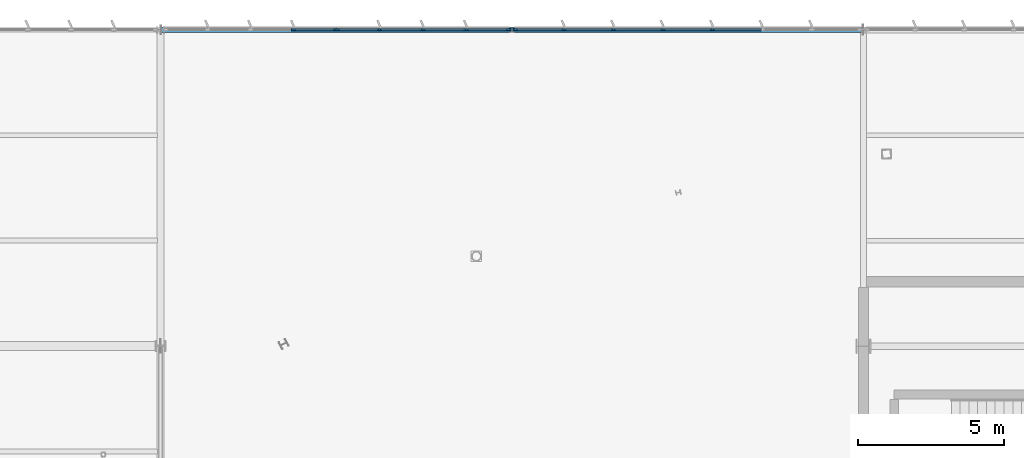
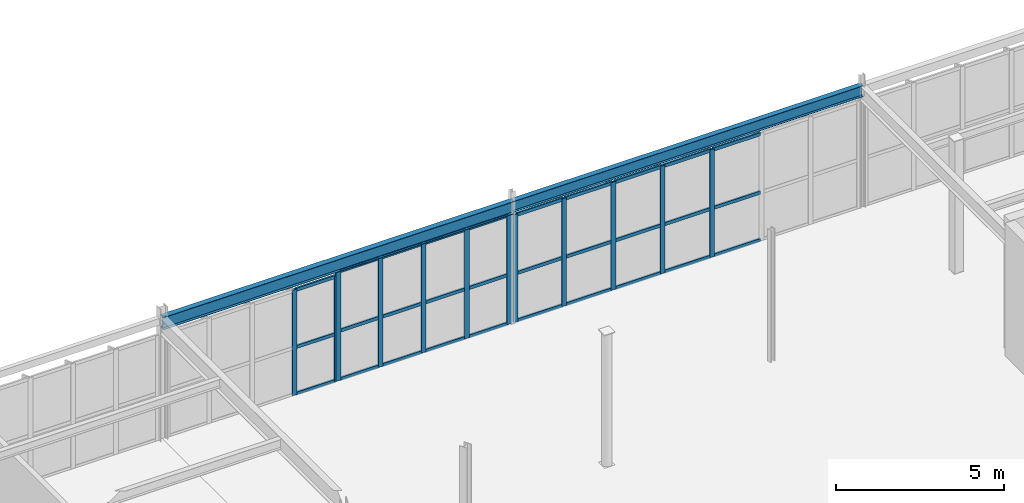
# One storey, part 101 of 226: 42 members, 2 beams, 3 elements without a shape of their own.
"""IFC4 building model written with IfcOpenShell, lengths in metres."""

from ifc_helpers import new_model, si_unit, direction, frame, origin, origin_2d, place, context, subcontext, project, spatial, rectangle, i_section, extrude, material, layer, layer_set, material_profile, profile_set, type_object, element, aggregate, save


model = new_model("IFC4")

# Units and contexts
model_context = context("Model", 3, precision=1e-05, world=origin(), true_north=direction((0.0, 1.0)))
body_context = subcontext(model_context, "Body", "Model", "MODEL_VIEW")
ifc_project = project(units=[si_unit("LENGTHUNIT", "METRE"), si_unit("AREAUNIT", "SQUARE_METRE"), si_unit("VOLUMEUNIT", "CUBIC_METRE"), si_unit("PLANEANGLEUNIT", "RADIAN"), si_unit("MASSUNIT", "GRAM", prefix="KILO")], contexts=[model_context])

# Site, building, storey
site_placement = place(None, origin())
site = spatial("IfcSite", under=ifc_project, at=site_placement, CompositionType="ELEMENT")
building_placement = place(site_placement, origin())
building = spatial("IfcBuilding", under=site, at=building_placement, Name="Tarnwether General Hospital", CompositionType="ELEMENT")
storey_placement = place(building_placement, frame((0.0, 0.0, 4.800048828125)))
storey = spatial("IfcBuildingStorey", under=building, at=storey_placement, Name="L01", CompositionType="ELEMENT", Elevation=4.800048828125)

# Beams
ifc_material_1 = material(Name="Steel Grade 350 (350 MPa)", Category="steel")
ifc_material_profile_1 = material_profile(ifc_material_1, i_section(OverallWidth=0.18994140625, OverallDepth=0.4541015625, WebThickness=0.008544921875, FlangeThickness=0.0126953125, at=origin_2d()), Name="460UB67.1")
ifc_profile_set_1 = profile_set([ifc_material_profile_1], Name="Steel Grade 350 (350 MPa)")
beam_type_1 = type_object("IfcBeamType", Name="BM-SP1", PredefinedType="SPANDREL", material=ifc_profile_set_1)
beam_1_placement = place(storey_placement, frame((60.0, 126.0, 4.218017578125), z_axis=(1.0, 0.0, 0.0), x_axis=(0.0, 1.0, 0.0)))
element("IfcBeam", 1, at=beam_1_placement, inside=storey, type_object=beam_type_1, Name="Primary Girder BMG-L01-6000_12600-7200_12600-1134", PredefinedType="SPANDREL", context=body_context, shape_type="SweptSolid", body=[
    extrude(i_section(OverallWidth=0.18994140625, OverallDepth=0.4541015625, WebThickness=0.008544921875, FlangeThickness=0.0126953125, at=origin_2d()), origin(), (0.0, 0.0, 1.0), 12.0),
])
ifc_material_2 = material(Name="Steel Grade 350 (350 MPa)", Category="steel")
ifc_material_profile_2 = material_profile(ifc_material_2, i_section(OverallWidth=0.177978515625, OverallDepth=0.403076171875, WebThickness=0.007568359375, FlangeThickness=0.010986328125, at=origin_2d()), Name="410UB53.7")
ifc_profile_set_2 = profile_set([ifc_material_profile_2], Name="Steel Grade 350 (350 MPa)")
beam_type_2 = type_object("IfcBeamType", Name="BM-SP2", PredefinedType="SPANDREL", material=ifc_profile_set_2)
beam_2_placement = place(storey_placement, frame((72.0, 126.0, 4.243408203125), z_axis=(1.0, 0.0, 0.0), x_axis=(0.0, 1.0, 0.0)))
element("IfcBeam", 2, at=beam_2_placement, inside=storey, type_object=beam_type_2, Name="Primary Girder BMG-L01-7200_12600-8400_12600-1142", PredefinedType="SPANDREL", context=body_context, shape_type="SweptSolid", body=[
    extrude(i_section(OverallWidth=0.177978515625, OverallDepth=0.403076171875, WebThickness=0.007568359375, FlangeThickness=0.010986328125, at=origin_2d()), origin(), (0.0, 0.0, 1.0), 12.0),
])

# Curtain wall, members
ifc_material_3 = material(Name="Anodised aluminium", Category="aluminium")
ifc_layer_1 = layer(ifc_material_3, 0.159912109375)
ifc_layer_set_1 = layer_set([ifc_layer_1], Name="Anodised aluminium")
curtain_wall_type_1 = type_object("IfcCurtainWallType", Name="CW-12", PredefinedType="NOTDEFINED", material=ifc_layer_set_1)
curtain_wall_1_placement = place(storey_placement, origin())
curtain_wall_1 = element("IfcCurtainWall", 3, at=curtain_wall_1_placement, inside=storey, type_object=curtain_wall_type_1, Name="Curtain Wall CWG-L01-601_1260-0322", PredefinedType="NOTDEFINED")
ifc_material_4 = material(Name="Anodised aluminium", Category="aluminium")
ifc_material_profile_3 = material_profile(ifc_material_4, rectangle(XDim=0.06005859375, YDim=0.159912109375, at=origin_2d()), Name="ALU-MUL-60x160")
ifc_profile_set_3 = profile_set([ifc_material_profile_3], Name="Anodised aluminium")
member_type_1 = type_object("IfcMemberType", Name="CW-ML1", PredefinedType="MULLION", material=ifc_profile_set_3)
member_1_placement = place(storey_placement, frame((64.53369140625, 126.0, 0.0), z_axis=(0.0, 0.0, 1.0), x_axis=(0.0, 1.0, 0.0)))
member_1 = element("IfcMember", 4, at=member_1_placement, type_object=member_type_1, Name="CW-12 mullion 4", PredefinedType="MULLION", context=body_context, shape_type="SweptSolid", body=[
    extrude(rectangle(XDim=0.06005859375, YDim=0.159912109375, at=origin_2d()), origin(), (0.0, 0.0, 1.0), 3.827880859375),
])
member_2_placement = place(storey_placement, frame((65.969970703125, 126.0, 0.0), z_axis=(0.0, 0.0, 1.0), x_axis=(0.0, 1.0, 0.0)))
member_2 = element("IfcMember", 5, at=member_2_placement, type_object=member_type_1, Name="CW-12 mullion 5", PredefinedType="MULLION", context=body_context, shape_type="SweptSolid", body=[
    extrude(rectangle(XDim=0.06005859375, YDim=0.159912109375, at=origin_2d()), origin(), (0.0, 0.0, 1.0), 3.827880859375),
])

ifc_material_5 = material(Name="Anodised aluminium", Category="aluminium")
ifc_layer_2 = layer(ifc_material_5, 0.159912109375)
ifc_layer_set_2 = layer_set([ifc_layer_2], Name="Anodised aluminium")
curtain_wall_type_2 = type_object("IfcCurtainWallType", Name="CW-14", PredefinedType="NOTDEFINED", material=ifc_layer_set_2)
curtain_wall_2_placement = place(storey_placement, origin())
curtain_wall_2 = element("IfcCurtainWall", 6, at=curtain_wall_2_placement, inside=storey, type_object=curtain_wall_type_2, Name="Curtain Wall CWG-L01-660_1260-0323", PredefinedType="NOTDEFINED")
member_3_placement = place(storey_placement, frame((66.030029296875, 126.0, 0.0), z_axis=(0.0, 0.0, 1.0), x_axis=(0.0, 1.0, 0.0)))
member_3 = element("IfcMember", 7, at=member_3_placement, type_object=member_type_1, Name="CW-14 mullion 1", PredefinedType="MULLION", context=body_context, shape_type="SweptSolid", body=[
    extrude(rectangle(XDim=0.06005859375, YDim=0.159912109375, at=origin_2d()), origin(), (0.0, 0.0, 1.0), 3.975830078125),
])
member_4_placement = place(storey_placement, frame((67.47900390625, 126.0, 0.0), z_axis=(0.0, 0.0, 1.0), x_axis=(0.0, 1.0, 0.0)))
member_4 = element("IfcMember", 8, at=member_4_placement, type_object=member_type_1, Name="CW-14 mullion 2", PredefinedType="MULLION", context=body_context, shape_type="SweptSolid", body=[
    extrude(rectangle(XDim=0.06005859375, YDim=0.159912109375, at=origin_2d()), origin(), (0.0, 0.0, 1.0), 3.975830078125),
])
member_5_placement = place(storey_placement, frame((68.9580078125, 126.0, 0.0), z_axis=(0.0, 0.0, 1.0), x_axis=(0.0, 1.0, 0.0)))
member_5 = element("IfcMember", 9, at=member_5_placement, type_object=member_type_1, Name="CW-14 mullion 3", PredefinedType="MULLION", context=body_context, shape_type="SweptSolid", body=[
    extrude(rectangle(XDim=0.06005859375, YDim=0.159912109375, at=origin_2d()), origin(), (0.0, 0.0, 1.0), 3.975830078125),
])
member_6_placement = place(storey_placement, frame((70.43701171875, 126.0, 0.0), z_axis=(0.0, 0.0, 1.0), x_axis=(0.0, 1.0, 0.0)))
member_6 = element("IfcMember", 10, at=member_6_placement, type_object=member_type_1, Name="CW-14 mullion 4", PredefinedType="MULLION", context=body_context, shape_type="SweptSolid", body=[
    extrude(rectangle(XDim=0.06005859375, YDim=0.159912109375, at=origin_2d()), origin(), (0.0, 0.0, 1.0), 3.975830078125),
])
member_7_placement = place(storey_placement, frame((71.885986328125, 126.0, 0.0), z_axis=(0.0, 0.0, 1.0), x_axis=(0.0, 1.0, 0.0)))
member_7 = element("IfcMember", 11, at=member_7_placement, type_object=member_type_1, Name="CW-14 mullion 5", PredefinedType="MULLION", context=body_context, shape_type="SweptSolid", body=[
    extrude(rectangle(XDim=0.06005859375, YDim=0.159912109375, at=origin_2d()), origin(), (0.0, 0.0, 1.0), 3.975830078125),
])

curtain_wall_3_placement = place(storey_placement, origin())
curtain_wall_3 = element("IfcCurtainWall", 12, at=curtain_wall_3_placement, inside=storey, type_object=curtain_wall_type_2, Name="Curtain Wall CWG-L01-721_1260-0324", PredefinedType="NOTDEFINED")
member_8_placement = place(storey_placement, frame((72.114013671875, 126.0, 0.0), z_axis=(0.0, 0.0, 1.0), x_axis=(0.0, 1.0, 0.0)))
member_8 = element("IfcMember", 13, at=member_8_placement, type_object=member_type_1, Name="CW-14 mullion 1", PredefinedType="MULLION", context=body_context, shape_type="SweptSolid", body=[
    extrude(rectangle(XDim=0.06005859375, YDim=0.159912109375, at=origin_2d()), origin(), (0.0, 0.0, 1.0), 3.90185546875),
])
member_9_placement = place(storey_placement, frame((73.774169921875, 126.0, 0.0), z_axis=(0.0, 0.0, 1.0), x_axis=(0.0, 1.0, 0.0)))
member_9 = element("IfcMember", 14, at=member_9_placement, type_object=member_type_1, Name="CW-14 mullion 2", PredefinedType="MULLION", context=body_context, shape_type="SweptSolid", body=[
    extrude(rectangle(XDim=0.06005859375, YDim=0.159912109375, at=origin_2d()), origin(), (0.0, 0.0, 1.0), 3.90185546875),
])
member_10_placement = place(storey_placement, frame((75.464599609375, 126.0, 0.0), z_axis=(0.0, 0.0, 1.0), x_axis=(0.0, 1.0, 0.0)))
member_10 = element("IfcMember", 15, at=member_10_placement, type_object=member_type_1, Name="CW-14 mullion 3", PredefinedType="MULLION", context=body_context, shape_type="SweptSolid", body=[
    extrude(rectangle(XDim=0.06005859375, YDim=0.159912109375, at=origin_2d()), origin(), (0.0, 0.0, 1.0), 3.90185546875),
])
member_11_placement = place(storey_placement, frame((77.15478515625, 126.0, 0.0), z_axis=(0.0, 0.0, 1.0), x_axis=(0.0, 1.0, 0.0)))
member_11 = element("IfcMember", 16, at=member_11_placement, type_object=member_type_1, Name="CW-14 mullion 4", PredefinedType="MULLION", context=body_context, shape_type="SweptSolid", body=[
    extrude(rectangle(XDim=0.06005859375, YDim=0.159912109375, at=origin_2d()), origin(), (0.0, 0.0, 1.0), 3.90185546875),
])
member_12_placement = place(storey_placement, frame((78.84521484375, 126.0, 0.0), z_axis=(0.0, 0.0, 1.0), x_axis=(0.0, 1.0, 0.0)))
member_12 = element("IfcMember", 17, at=member_12_placement, type_object=member_type_1, Name="CW-14 mullion 5", PredefinedType="MULLION", context=body_context, shape_type="SweptSolid", body=[
    extrude(rectangle(XDim=0.06005859375, YDim=0.159912109375, at=origin_2d()), origin(), (0.0, 0.0, 1.0), 3.90185546875),
])

# Member
ifc_material_6 = material(Name="Anodised aluminium", Category="aluminium")
ifc_material_profile_4 = material_profile(ifc_material_6, rectangle(XDim=0.06005859375, YDim=0.1201171875, at=origin_2d()), Name="ALU-TRN-60x120")
ifc_profile_set_4 = profile_set([ifc_material_profile_4], Name="Anodised aluminium")
member_type_2 = type_object("IfcMemberType", Name="CW-TR1", PredefinedType="USERDEFINED", material=ifc_profile_set_4)
member_13_placement = place(storey_placement, frame((64.563720703125, 126.0, 0.030029296875), z_axis=(1.0, 0.0, 0.0), x_axis=(0.0, 1.0, 0.0)))
member_13 = element("IfcMember", 18, at=member_13_placement, type_object=member_type_2, Name="CW-12 transom 4.1", ObjectType="TRANSOM", PredefinedType="USERDEFINED", context=body_context, shape_type="SweptSolid", body=[
    extrude(rectangle(XDim=0.06005859375, YDim=0.1201171875, at=origin_2d()), origin(), (0.0, 0.0, 1.0), 1.376220703125),
])

member_14_placement = place(storey_placement, frame((64.563720703125, 126.0, 1.72265625), z_axis=(1.0, 0.0, 0.0), x_axis=(0.0, 1.0, 0.0)))
member_14 = element("IfcMember", 19, at=member_14_placement, type_object=member_type_2, Name="CW-12 transom 4.2", ObjectType="TRANSOM", PredefinedType="USERDEFINED", context=body_context, shape_type="SweptSolid", body=[
    extrude(rectangle(XDim=0.06005859375, YDim=0.1201171875, at=origin_2d()), origin(), (0.0, 0.0, 1.0), 1.376220703125),
])

member_15_placement = place(storey_placement, frame((64.563720703125, 126.0, 3.7978515625), z_axis=(1.0, 0.0, 0.0), x_axis=(0.0, 1.0, 0.0)))
member_15 = element("IfcMember", 20, at=member_15_placement, type_object=member_type_2, Name="CW-12 transom 4.3", ObjectType="TRANSOM", PredefinedType="USERDEFINED", context=body_context, shape_type="SweptSolid", body=[
    extrude(rectangle(XDim=0.06005859375, YDim=0.1201171875, at=origin_2d()), origin(), (0.0, 0.0, 1.0), 1.376220703125),
])

aggregate(curtain_wall_1, [member_1, member_2, member_13, member_14, member_15])

member_16_placement = place(storey_placement, frame((66.06005859375, 126.0, 0.030029296875), z_axis=(1.0, 0.0, 0.0), x_axis=(0.0, 1.0, 0.0)))
member_16 = element("IfcMember", 21, at=member_16_placement, type_object=member_type_2, Name="CW-14 transom 1.1", ObjectType="TRANSOM", PredefinedType="USERDEFINED", context=body_context, shape_type="SweptSolid", body=[
    extrude(rectangle(XDim=0.06005859375, YDim=0.1201171875, at=origin_2d()), origin(), (0.0, 0.0, 1.0), 1.388916015625),
])

member_17_placement = place(storey_placement, frame((66.06005859375, 126.0, 1.7890625), z_axis=(1.0, 0.0, 0.0), x_axis=(0.0, 1.0, 0.0)))
member_17 = element("IfcMember", 22, at=member_17_placement, type_object=member_type_2, Name="CW-14 transom 1.2", ObjectType="TRANSOM", PredefinedType="USERDEFINED", context=body_context, shape_type="SweptSolid", body=[
    extrude(rectangle(XDim=0.06005859375, YDim=0.1201171875, at=origin_2d()), origin(), (0.0, 0.0, 1.0), 1.388916015625),
])

member_18_placement = place(storey_placement, frame((66.06005859375, 126.0, 3.946044921875), z_axis=(1.0, 0.0, 0.0), x_axis=(0.0, 1.0, 0.0)))
member_18 = element("IfcMember", 23, at=member_18_placement, type_object=member_type_2, Name="CW-14 transom 1.3", ObjectType="TRANSOM", PredefinedType="USERDEFINED", context=body_context, shape_type="SweptSolid", body=[
    extrude(rectangle(XDim=0.06005859375, YDim=0.1201171875, at=origin_2d()), origin(), (0.0, 0.0, 1.0), 1.388916015625),
])

member_19_placement = place(storey_placement, frame((67.509033203125, 126.0, 0.030029296875), z_axis=(1.0, 0.0, 0.0), x_axis=(0.0, 1.0, 0.0)))
member_19 = element("IfcMember", 24, at=member_19_placement, type_object=member_type_2, Name="CW-14 transom 2.1", ObjectType="TRANSOM", PredefinedType="USERDEFINED", context=body_context, shape_type="SweptSolid", body=[
    extrude(rectangle(XDim=0.06005859375, YDim=0.1201171875, at=origin_2d()), origin(), (0.0, 0.0, 1.0), 1.4189453125),
])

member_20_placement = place(storey_placement, frame((67.509033203125, 126.0, 1.7890625), z_axis=(1.0, 0.0, 0.0), x_axis=(0.0, 1.0, 0.0)))
member_20 = element("IfcMember", 25, at=member_20_placement, type_object=member_type_2, Name="CW-14 transom 2.2", ObjectType="TRANSOM", PredefinedType="USERDEFINED", context=body_context, shape_type="SweptSolid", body=[
    extrude(rectangle(XDim=0.06005859375, YDim=0.1201171875, at=origin_2d()), origin(), (0.0, 0.0, 1.0), 1.4189453125),
])

member_21_placement = place(storey_placement, frame((67.509033203125, 126.0, 3.946044921875), z_axis=(1.0, 0.0, 0.0), x_axis=(0.0, 1.0, 0.0)))
member_21 = element("IfcMember", 26, at=member_21_placement, type_object=member_type_2, Name="CW-14 transom 2.3", ObjectType="TRANSOM", PredefinedType="USERDEFINED", context=body_context, shape_type="SweptSolid", body=[
    extrude(rectangle(XDim=0.06005859375, YDim=0.1201171875, at=origin_2d()), origin(), (0.0, 0.0, 1.0), 1.4189453125),
])

member_22_placement = place(storey_placement, frame((68.988037109375, 126.0, 0.030029296875), z_axis=(1.0, 0.0, 0.0), x_axis=(0.0, 1.0, 0.0)))
member_22 = element("IfcMember", 27, at=member_22_placement, type_object=member_type_2, Name="CW-14 transom 3.1", ObjectType="TRANSOM", PredefinedType="USERDEFINED", context=body_context, shape_type="SweptSolid", body=[
    extrude(rectangle(XDim=0.06005859375, YDim=0.1201171875, at=origin_2d()), origin(), (0.0, 0.0, 1.0), 1.4189453125),
])

member_23_placement = place(storey_placement, frame((68.988037109375, 126.0, 1.7890625), z_axis=(1.0, 0.0, 0.0), x_axis=(0.0, 1.0, 0.0)))
member_23 = element("IfcMember", 28, at=member_23_placement, type_object=member_type_2, Name="CW-14 transom 3.2", ObjectType="TRANSOM", PredefinedType="USERDEFINED", context=body_context, shape_type="SweptSolid", body=[
    extrude(rectangle(XDim=0.06005859375, YDim=0.1201171875, at=origin_2d()), origin(), (0.0, 0.0, 1.0), 1.4189453125),
])

member_24_placement = place(storey_placement, frame((68.988037109375, 126.0, 3.946044921875), z_axis=(1.0, 0.0, 0.0), x_axis=(0.0, 1.0, 0.0)))
member_24 = element("IfcMember", 29, at=member_24_placement, type_object=member_type_2, Name="CW-14 transom 3.3", ObjectType="TRANSOM", PredefinedType="USERDEFINED", context=body_context, shape_type="SweptSolid", body=[
    extrude(rectangle(XDim=0.06005859375, YDim=0.1201171875, at=origin_2d()), origin(), (0.0, 0.0, 1.0), 1.4189453125),
])

member_25_placement = place(storey_placement, frame((70.467041015625, 126.0, 0.030029296875), z_axis=(1.0, 0.0, 0.0), x_axis=(0.0, 1.0, 0.0)))
member_25 = element("IfcMember", 30, at=member_25_placement, type_object=member_type_2, Name="CW-14 transom 4.1", ObjectType="TRANSOM", PredefinedType="USERDEFINED", context=body_context, shape_type="SweptSolid", body=[
    extrude(rectangle(XDim=0.06005859375, YDim=0.1201171875, at=origin_2d()), origin(), (0.0, 0.0, 1.0), 1.388916015625),
])

member_26_placement = place(storey_placement, frame((70.467041015625, 126.0, 1.7890625), z_axis=(1.0, 0.0, 0.0), x_axis=(0.0, 1.0, 0.0)))
member_26 = element("IfcMember", 31, at=member_26_placement, type_object=member_type_2, Name="CW-14 transom 4.2", ObjectType="TRANSOM", PredefinedType="USERDEFINED", context=body_context, shape_type="SweptSolid", body=[
    extrude(rectangle(XDim=0.06005859375, YDim=0.1201171875, at=origin_2d()), origin(), (0.0, 0.0, 1.0), 1.388916015625),
])

member_27_placement = place(storey_placement, frame((70.467041015625, 126.0, 3.946044921875), z_axis=(1.0, 0.0, 0.0), x_axis=(0.0, 1.0, 0.0)))
member_27 = element("IfcMember", 32, at=member_27_placement, type_object=member_type_2, Name="CW-14 transom 4.3", ObjectType="TRANSOM", PredefinedType="USERDEFINED", context=body_context, shape_type="SweptSolid", body=[
    extrude(rectangle(XDim=0.06005859375, YDim=0.1201171875, at=origin_2d()), origin(), (0.0, 0.0, 1.0), 1.388916015625),
])

aggregate(curtain_wall_2, [member_3, member_4, member_5, member_6, member_7, member_16, member_17, member_18, member_19, member_20, member_21, member_22, member_23, member_24, member_25, member_26, member_27])

member_28_placement = place(storey_placement, frame((72.14404296875, 126.0, 0.030029296875), z_axis=(1.0, 0.0, 0.0), x_axis=(0.0, 1.0, 0.0)))
member_28 = element("IfcMember", 33, at=member_28_placement, type_object=member_type_2, Name="CW-14 transom 1.1", ObjectType="TRANSOM", PredefinedType="USERDEFINED", context=body_context, shape_type="SweptSolid", body=[
    extrude(rectangle(XDim=0.06005859375, YDim=0.1201171875, at=origin_2d()), origin(), (0.0, 0.0, 1.0), 1.600341796875),
])

member_29_placement = place(storey_placement, frame((72.14404296875, 126.0, 1.755859375), z_axis=(1.0, 0.0, 0.0), x_axis=(0.0, 1.0, 0.0)))
member_29 = element("IfcMember", 34, at=member_29_placement, type_object=member_type_2, Name="CW-14 transom 1.2", ObjectType="TRANSOM", PredefinedType="USERDEFINED", context=body_context, shape_type="SweptSolid", body=[
    extrude(rectangle(XDim=0.06005859375, YDim=0.1201171875, at=origin_2d()), origin(), (0.0, 0.0, 1.0), 1.600341796875),
])

member_30_placement = place(storey_placement, frame((72.14404296875, 126.0, 3.8720703125), z_axis=(1.0, 0.0, 0.0), x_axis=(0.0, 1.0, 0.0)))
member_30 = element("IfcMember", 35, at=member_30_placement, type_object=member_type_2, Name="CW-14 transom 1.3", ObjectType="TRANSOM", PredefinedType="USERDEFINED", context=body_context, shape_type="SweptSolid", body=[
    extrude(rectangle(XDim=0.06005859375, YDim=0.1201171875, at=origin_2d()), origin(), (0.0, 0.0, 1.0), 1.600341796875),
])

member_31_placement = place(storey_placement, frame((73.80419921875, 126.0, 0.030029296875), z_axis=(1.0, 0.0, 0.0), x_axis=(0.0, 1.0, 0.0)))
member_31 = element("IfcMember", 36, at=member_31_placement, type_object=member_type_2, Name="CW-14 transom 2.1", ObjectType="TRANSOM", PredefinedType="USERDEFINED", context=body_context, shape_type="SweptSolid", body=[
    extrude(rectangle(XDim=0.06005859375, YDim=0.1201171875, at=origin_2d()), origin(), (0.0, 0.0, 1.0), 1.63037109375),
])

member_32_placement = place(storey_placement, frame((73.80419921875, 126.0, 1.755859375), z_axis=(1.0, 0.0, 0.0), x_axis=(0.0, 1.0, 0.0)))
member_32 = element("IfcMember", 37, at=member_32_placement, type_object=member_type_2, Name="CW-14 transom 2.2", ObjectType="TRANSOM", PredefinedType="USERDEFINED", context=body_context, shape_type="SweptSolid", body=[
    extrude(rectangle(XDim=0.06005859375, YDim=0.1201171875, at=origin_2d()), origin(), (0.0, 0.0, 1.0), 1.63037109375),
])

member_33_placement = place(storey_placement, frame((73.80419921875, 126.0, 3.8720703125), z_axis=(1.0, 0.0, 0.0), x_axis=(0.0, 1.0, 0.0)))
member_33 = element("IfcMember", 38, at=member_33_placement, type_object=member_type_2, Name="CW-14 transom 2.3", ObjectType="TRANSOM", PredefinedType="USERDEFINED", context=body_context, shape_type="SweptSolid", body=[
    extrude(rectangle(XDim=0.06005859375, YDim=0.1201171875, at=origin_2d()), origin(), (0.0, 0.0, 1.0), 1.63037109375),
])

member_34_placement = place(storey_placement, frame((75.49462890625, 126.0, 0.030029296875), z_axis=(1.0, 0.0, 0.0), x_axis=(0.0, 1.0, 0.0)))
member_34 = element("IfcMember", 39, at=member_34_placement, type_object=member_type_2, Name="CW-14 transom 3.1", ObjectType="TRANSOM", PredefinedType="USERDEFINED", context=body_context, shape_type="SweptSolid", body=[
    extrude(rectangle(XDim=0.06005859375, YDim=0.1201171875, at=origin_2d()), origin(), (0.0, 0.0, 1.0), 1.630126953125),
])

member_35_placement = place(storey_placement, frame((75.49462890625, 126.0, 1.755859375), z_axis=(1.0, 0.0, 0.0), x_axis=(0.0, 1.0, 0.0)))
member_35 = element("IfcMember", 40, at=member_35_placement, type_object=member_type_2, Name="CW-14 transom 3.2", ObjectType="TRANSOM", PredefinedType="USERDEFINED", context=body_context, shape_type="SweptSolid", body=[
    extrude(rectangle(XDim=0.06005859375, YDim=0.1201171875, at=origin_2d()), origin(), (0.0, 0.0, 1.0), 1.630126953125),
])

member_36_placement = place(storey_placement, frame((75.49462890625, 126.0, 3.8720703125), z_axis=(1.0, 0.0, 0.0), x_axis=(0.0, 1.0, 0.0)))
member_36 = element("IfcMember", 41, at=member_36_placement, type_object=member_type_2, Name="CW-14 transom 3.3", ObjectType="TRANSOM", PredefinedType="USERDEFINED", context=body_context, shape_type="SweptSolid", body=[
    extrude(rectangle(XDim=0.06005859375, YDim=0.1201171875, at=origin_2d()), origin(), (0.0, 0.0, 1.0), 1.630126953125),
])

member_37_placement = place(storey_placement, frame((77.184814453125, 126.0, 0.030029296875), z_axis=(1.0, 0.0, 0.0), x_axis=(0.0, 1.0, 0.0)))
member_37 = element("IfcMember", 42, at=member_37_placement, type_object=member_type_2, Name="CW-14 transom 4.1", ObjectType="TRANSOM", PredefinedType="USERDEFINED", context=body_context, shape_type="SweptSolid", body=[
    extrude(rectangle(XDim=0.06005859375, YDim=0.1201171875, at=origin_2d()), origin(), (0.0, 0.0, 1.0), 1.63037109375),
])

member_38_placement = place(storey_placement, frame((77.184814453125, 126.0, 1.755859375), z_axis=(1.0, 0.0, 0.0), x_axis=(0.0, 1.0, 0.0)))
member_38 = element("IfcMember", 43, at=member_38_placement, type_object=member_type_2, Name="CW-14 transom 4.2", ObjectType="TRANSOM", PredefinedType="USERDEFINED", context=body_context, shape_type="SweptSolid", body=[
    extrude(rectangle(XDim=0.06005859375, YDim=0.1201171875, at=origin_2d()), origin(), (0.0, 0.0, 1.0), 1.63037109375),
])

member_39_placement = place(storey_placement, frame((77.184814453125, 126.0, 3.8720703125), z_axis=(1.0, 0.0, 0.0), x_axis=(0.0, 1.0, 0.0)))
member_39 = element("IfcMember", 44, at=member_39_placement, type_object=member_type_2, Name="CW-14 transom 4.3", ObjectType="TRANSOM", PredefinedType="USERDEFINED", context=body_context, shape_type="SweptSolid", body=[
    extrude(rectangle(XDim=0.06005859375, YDim=0.1201171875, at=origin_2d()), origin(), (0.0, 0.0, 1.0), 1.63037109375),
])

member_40_placement = place(storey_placement, frame((78.875244140625, 126.0, 0.030029296875), z_axis=(1.0, 0.0, 0.0), x_axis=(0.0, 1.0, 0.0)))
member_40 = element("IfcMember", 45, at=member_40_placement, type_object=member_type_2, Name="CW-14 transom 5.1", ObjectType="TRANSOM", PredefinedType="USERDEFINED", context=body_context, shape_type="SweptSolid", body=[
    extrude(rectangle(XDim=0.06005859375, YDim=0.1201171875, at=origin_2d()), origin(), (0.0, 0.0, 1.0), 1.630126953125),
])

member_41_placement = place(storey_placement, frame((78.875244140625, 126.0, 1.755859375), z_axis=(1.0, 0.0, 0.0), x_axis=(0.0, 1.0, 0.0)))
member_41 = element("IfcMember", 46, at=member_41_placement, type_object=member_type_2, Name="CW-14 transom 5.2", ObjectType="TRANSOM", PredefinedType="USERDEFINED", context=body_context, shape_type="SweptSolid", body=[
    extrude(rectangle(XDim=0.06005859375, YDim=0.1201171875, at=origin_2d()), origin(), (0.0, 0.0, 1.0), 1.630126953125),
])

member_42_placement = place(storey_placement, frame((78.875244140625, 126.0, 3.8720703125), z_axis=(1.0, 0.0, 0.0), x_axis=(0.0, 1.0, 0.0)))
member_42 = element("IfcMember", 47, at=member_42_placement, type_object=member_type_2, Name="CW-14 transom 5.3", ObjectType="TRANSOM", PredefinedType="USERDEFINED", context=body_context, shape_type="SweptSolid", body=[
    extrude(rectangle(XDim=0.06005859375, YDim=0.1201171875, at=origin_2d()), origin(), (0.0, 0.0, 1.0), 1.630126953125),
])

aggregate(curtain_wall_3, [member_8, member_9, member_10, member_11, member_12, member_28, member_29, member_30, member_31, member_32, member_33, member_34, member_35, member_36, member_37, member_38, member_39, member_40, member_41, member_42])

save(model, "model.ifc")
